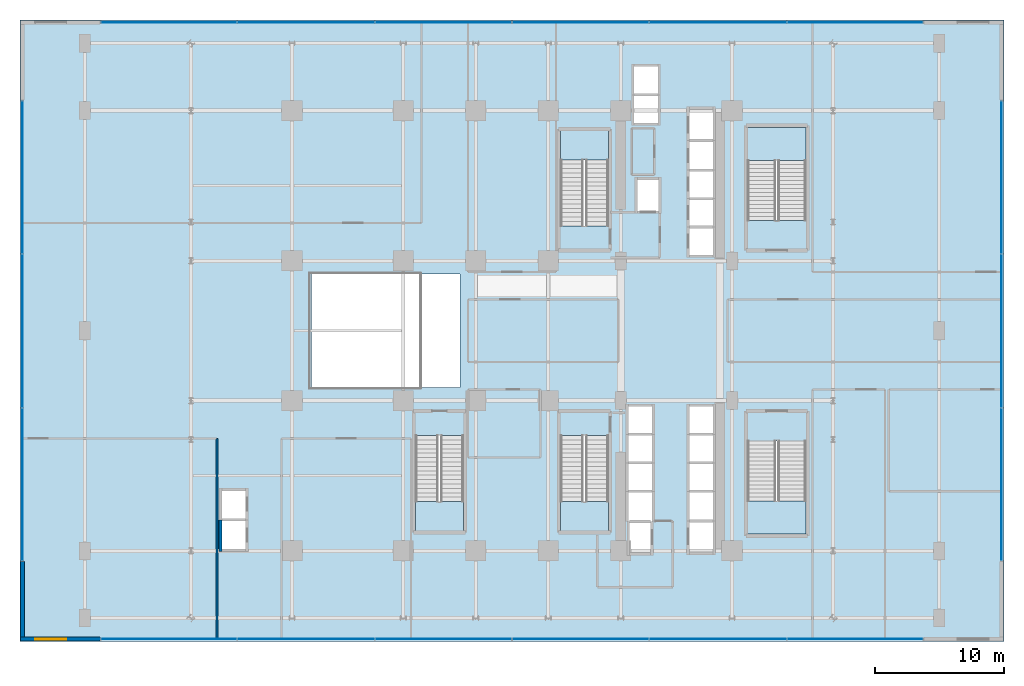
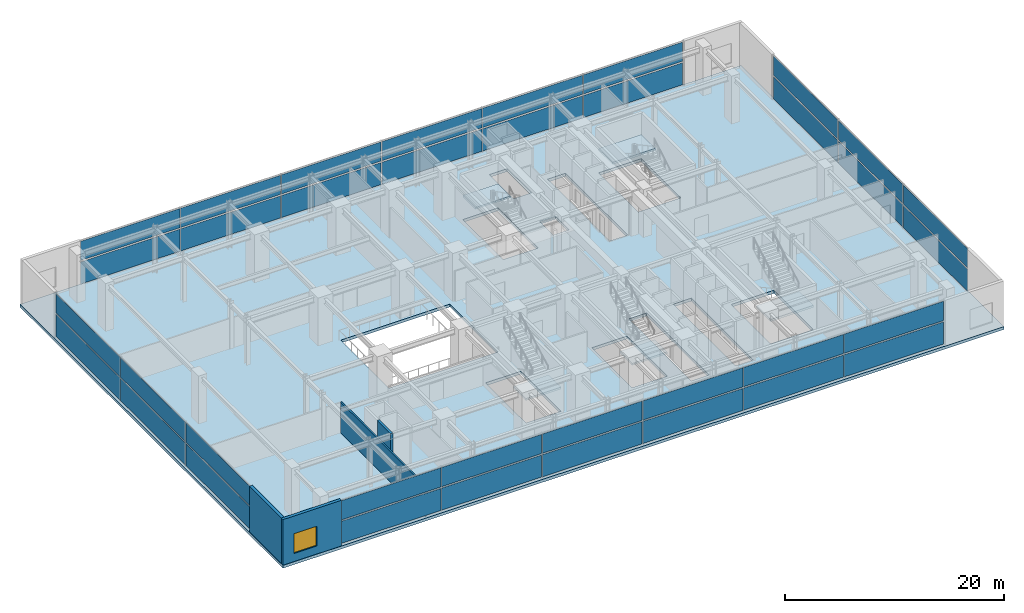
# One storey, part 26 of 32: 36 plates, 6 slabs, 4 walls, 1 window, 1 opening, 9 elements without a shape of their own.
"""IFC4 building model written with IfcOpenShell, lengths in metres."""

import ifcopenshell
import ifcopenshell.guid

model = None  # the IFC model being written
_history = None  # IfcOwnerHistory: only IFC2X3 demands one
_inside = {}  # id of a spatial element -> (the spatial element, [elements in it])
_under = {}  # id of a project, library or spatial element -> (it, [spatial elements below it])
_declared = {}  # id of a project -> (the project, [libraries it declares])
_typed = {}  # id of a type object -> (the type object, [elements of that type])
_made_of = {}  # id of a material, layer set ... -> (it, [elements and type objects made of it])


def new_model(schema):
    """Start an empty IFC model of exactly this schema.

    Asked for "IFC4X3", IfcOpenShell would pick the latest addendum, in which some entities
    have other attributes; the version numbers below select the first issue.
    IFC2X3 requires an IfcOwnerHistory on every rooted entity: one is made here for all.
    """
    global model, _history
    if schema == "IFC4X3":
        model = ifcopenshell.file(schema_version=(4, 3, 0, 0))
    else:
        model = ifcopenshell.file(schema=schema)
    _inside.clear()
    _under.clear()
    _declared.clear()
    _typed.clear()
    _made_of.clear()
    _history = None
    if model.schema == "IFC2X3":
        org = make("IfcOrganization", Name="unknown")
        user = make(
            "IfcPersonAndOrganization",
            ThePerson=make("IfcPerson", FamilyName="unknown"),
            TheOrganization=org,
        )
        app = make(
            "IfcApplication",
            ApplicationDeveloper=org,
            Version="unknown",
            ApplicationFullName="unknown",
            ApplicationIdentifier="unknown",
        )
        _history = make(
            "IfcOwnerHistory",
            OwningUser=user,
            OwningApplication=app,
            ChangeAction="ADDED",
            CreationDate=0,
        )
    return model


def make(cls, **values):
    """One entity of the class cls with the attributes given. An attribute that is None is left unset."""
    return model.create_entity(
        cls, **{name: value for name, value in values.items() if value is not None}
    )


def rooted(cls, **values):
    """An entity with a GlobalId (a new one), such as an element, a storey or a relation."""
    return make(cls, GlobalId=ifcopenshell.guid.new(), OwnerHistory=_history, **values)


def si_unit(unit_type, name, prefix=None):
    """IfcSIUnit, for example si_unit("LENGTHUNIT", "METRE", prefix="MILLI")."""
    return make("IfcSIUnit", UnitType=unit_type, Prefix=prefix, Name=name)


def assignment(units):
    """IfcUnitAssignment: the units of a project."""
    return None if units is None else make("IfcUnitAssignment", Units=units)


def point(xyz):
    """IfcCartesianPoint."""
    return None if xyz is None else make("IfcCartesianPoint", Coordinates=xyz)


def direction(xyz):
    """IfcDirection."""
    return None if xyz is None else make("IfcDirection", DirectionRatios=xyz)


def frame(location, z_axis=None, x_axis=None):
    """IfcAxis2Placement3D, a coordinate frame: its origin and axes. An axis left out is left unset."""
    return make(
        "IfcAxis2Placement3D",
        Location=point(location),
        Axis=direction(z_axis),
        RefDirection=direction(x_axis),
    )


def frame_2d(location, x_axis=None):
    """IfcAxis2Placement2D, a coordinate frame in the plane: its origin and x axis."""
    return make(
        "IfcAxis2Placement2D", Location=point(location), RefDirection=direction(x_axis)
    )


def origin():
    """The frame at (0, 0, 0) with its axes left unset."""
    return frame((0.0, 0.0, 0.0))


def origin_2d():
    """The frame at (0, 0) in the plane with its x axis left unset."""
    return frame_2d((0.0, 0.0))


def place(relative_to, where):
    """IfcLocalPlacement: puts the frame where relative to a parent placement (None: the world)."""
    return make(
        "IfcLocalPlacement", PlacementRelTo=relative_to, RelativePlacement=where
    )


def context(
    kind, dimensions, precision=None, world=None, true_north=None, identifier=None
):
    """IfcGeometricRepresentationContext, for example the 3D "Model" context."""
    return make(
        "IfcGeometricRepresentationContext",
        ContextIdentifier=identifier,
        ContextType=kind,
        CoordinateSpaceDimension=dimensions,
        Precision=precision,
        WorldCoordinateSystem=world,
        TrueNorth=true_north,
    )


def subcontext(parent, identifier, kind, view, scale=None):
    """IfcGeometricRepresentationSubContext, for example "Body" below "Model"."""
    return make(
        "IfcGeometricRepresentationSubContext",
        ContextIdentifier=identifier,
        ContextType=kind,
        ParentContext=parent,
        TargetScale=scale,
        TargetView=view,
    )


def project(units=None, contexts=None):
    """IfcProject with its units and contexts."""
    return rooted(
        "IfcProject",
        Name="project",
        RepresentationContexts=contexts,
        UnitsInContext=assignment(units),
    )


def spatial(cls, under=None, at=None, **own):
    """A site, building, storey or space (cls), placed at a placement, below another one or the project."""
    s = rooted(cls, ObjectPlacement=at, **own)
    if under is not None:
        _under.setdefault(under.id(), (under, []))[1].append(s)
    return s


def polyline(points):
    """IfcPolyline through the points."""
    return make("IfcPolyline", Points=[point(p) for p in points])


def profile(cls, at=None, kind="AREA", **sizes):
    """A parametric profile (cls). Its sizes go by their IFC names, for example OverallWidth=200.0."""
    return make(cls, ProfileType=kind, Position=at, **sizes)


def rectangle(**sizes):
    """IfcRectangleProfileDef."""
    return profile("IfcRectangleProfileDef", **sizes)


def outline(outer, holes=None, kind="AREA"):
    """IfcArbitraryClosedProfileDef: a profile drawn as a closed curve; with holes, ...WithVoids."""
    if holes is None:
        return make("IfcArbitraryClosedProfileDef", ProfileType=kind, OuterCurve=outer)
    return make(
        "IfcArbitraryProfileDefWithVoids",
        ProfileType=kind,
        OuterCurve=outer,
        InnerCurves=holes,
    )


def extrude(swept, where, along, depth):
    """IfcExtrudedAreaSolid: the profile swept, set in the frame where, extruded along a direction by depth."""
    return make(
        "IfcExtrudedAreaSolid",
        SweptArea=swept,
        Position=where,
        ExtrudedDirection=direction(along),
        Depth=depth,
    )


def shape(context_of_items, identifier, shape_type, items):
    """IfcShapeRepresentation: the items that make up one representation, for example the "Body"."""
    return make(
        "IfcShapeRepresentation",
        ContextOfItems=context_of_items,
        RepresentationIdentifier=identifier,
        RepresentationType=shape_type,
        Items=items,
    )


def source(mapping_origin, context_of_items, identifier, shape_type, items):
    """IfcRepresentationMap: a shape defined once, which mapped items show again and again."""
    return make(
        "IfcRepresentationMap",
        MappingOrigin=mapping_origin,
        MappedRepresentation=shape(context_of_items, identifier, shape_type, items),
    )


def transform(
    local_origin,
    x_axis=None,
    y_axis=None,
    z_axis=None,
    scale=None,
    scale2=None,
    scale3=None,
    uniform=True,
):
    """IfcCartesianTransformationOperator3D, or its non-uniform kind. x_axis, y_axis, z_axis: its Axis1, 2, 3."""
    if uniform:
        return make(
            "IfcCartesianTransformationOperator3D",
            Axis1=direction(x_axis),
            Axis2=direction(y_axis),
            LocalOrigin=point(local_origin),
            Scale=scale,
            Axis3=direction(z_axis),
        )
    return make(
        "IfcCartesianTransformationOperator3DnonUniform",
        Axis1=direction(x_axis),
        Axis2=direction(y_axis),
        LocalOrigin=point(local_origin),
        Scale=scale,
        Axis3=direction(z_axis),
        Scale2=scale2,
        Scale3=scale3,
    )


def mapped(mapping_source, mapping_target):
    """IfcMappedItem: shows the shape of a source again, moved by a transform."""
    return make(
        "IfcMappedItem", MappingSource=mapping_source, MappingTarget=mapping_target
    )


def material(Name=None, Category=None):
    """IfcMaterial."""
    return make("IfcMaterial", Name=Name, Category=Category)


def layer(
    of_material, thickness, ventilated=None, Name=None, Category=None, Priority=None
):
    """IfcMaterialLayer: one layer of a wall or slab, of a material (None: an air gap)."""
    return make(
        "IfcMaterialLayer",
        Material=of_material,
        LayerThickness=thickness,
        IsVentilated=ventilated,
        Name=Name,
        Category=Category,
        Priority=Priority,
    )


def layer_set(layers, Name=None):
    """IfcMaterialLayerSet."""
    return make("IfcMaterialLayerSet", MaterialLayers=layers, LayerSetName=Name)


def made_of(thing, what):
    """Note that an element or type object is made of a material, layer set ...; save() writes the relation."""
    if what is not None:
        _made_of.setdefault(what.id(), (what, []))[1].append(thing)
    return thing


def type_object(cls, material=None, **own):
    """A type object (cls), such as IfcWallType, which elements share."""
    return made_of(rooted(cls, **own), material)


def element(
    cls,
    number,
    at=None,
    inside=None,
    cuts=None,
    type_object=None,
    material=None,
    context=None,
    identifier="Body",
    shape_type=None,
    held_by="IfcProductDefinitionShape",
    body=None,
    shapes=None,
    **own,
):
    """One element of the class cls, such as IfcWall. Its Tag is "e" and its number.

    at: its placement. inside: the storey or other place that contains it. cuts: it is an
    opening in that element (IfcRelVoidsElement). A single representation is given by context,
    identifier, shape_type and body (its items); several are given by shapes. held_by: the class
    of the entity that holds the representations. save() writes the other relations.
    """
    e = rooted(cls, Tag="e%d" % number, ObjectPlacement=at, **own)
    if body is not None:
        shapes = [shape(context, identifier, shape_type, body)]
    if shapes is not None:
        e.Representation = make(held_by, Representations=shapes)
    if inside is not None:
        _inside.setdefault(inside.id(), (inside, []))[1].append(e)
    if cuts is not None:
        rooted(
            "IfcRelVoidsElement", RelatingBuildingElement=cuts, RelatedOpeningElement=e
        )
    if type_object is not None:
        _typed.setdefault(type_object.id(), (type_object, []))[1].append(e)
    return made_of(e, material)


def fill(opening, filler):
    """IfcRelFillsElement: the door or window that sits in an opening."""
    return rooted(
        "IfcRelFillsElement",
        RelatingOpeningElement=opening,
        RelatedBuildingElement=filler,
    )


def aggregate(whole, parts):
    """IfcRelAggregates: a whole, such as a stair, and the parts it consists of."""
    return rooted("IfcRelAggregates", RelatingObject=whole, RelatedObjects=parts)


def save(model, path):
    """Write the relations noted so far, then the file.

    IfcRelAggregates (storeys below a building ...), IfcRelContainedInSpatialStructure (elements
    in a storey), IfcRelDefinesByType, IfcRelAssociatesMaterial and IfcRelDeclares: one each for
    every whole, place, type object, material and project.
    """
    for whole, parts in _under.values():
        aggregate(whole, parts)
    for where, things in _inside.values():
        rooted(
            "IfcRelContainedInSpatialStructure",
            RelatedElements=things,
            RelatingStructure=where,
        )
    for kind, things in _typed.values():
        rooted("IfcRelDefinesByType", RelatedObjects=things, RelatingType=kind)
    for what, things in _made_of.values():
        rooted("IfcRelAssociatesMaterial", RelatedObjects=things, RelatingMaterial=what)
    for by, libraries in _declared.values():
        rooted("IfcRelDeclares", RelatingContext=by, RelatedDefinitions=libraries)
    model.write(path)


model = new_model("IFC4")

# Units and contexts
model_context = context("Model", 3, precision=1e-05, world=origin(), true_north=direction((0.0, 1.0)))
body_context = subcontext(model_context, "Body", "Model", "MODEL_VIEW")
ifc_project = project(units=[si_unit("LENGTHUNIT", "METRE"), si_unit("AREAUNIT", "SQUARE_METRE"), si_unit("VOLUMEUNIT", "CUBIC_METRE"), si_unit("PLANEANGLEUNIT", "RADIAN"), si_unit("MASSUNIT", "GRAM", prefix="KILO")], contexts=[model_context])

# Site, building, storey
site_placement = place(None, origin())
site = spatial("IfcSite", under=ifc_project, at=site_placement, CompositionType="ELEMENT")
building_placement = place(site_placement, origin())
building = spatial("IfcBuilding", under=site, at=building_placement, Name="Nahalor Promenade Grand Hotel", CompositionType="ELEMENT")
storey_placement = place(building_placement, frame((0.0, 0.0, 5.39990234375)))
storey = spatial("IfcBuildingStorey", under=building, at=storey_placement, Name="L01", CompositionType="ELEMENT", Elevation=5.39990234375)

# Stair, slab
ifc_material_1 = material(Name="Concrete B-50 (C40/50)", Category="concrete")
stair_type_1 = type_object("IfcStairType", Name="Stair-ST1", PredefinedType="HALF_TURN_STAIR", material=ifc_material_1)
stair_1_placement = place(storey_placement, origin())
stair_1 = element("IfcStair", 1, at=stair_1_placement, inside=storey, type_object=stair_type_1, Name="L01 ST1", PredefinedType="HALF_TURN_STAIR")
ifc_layer_1 = layer(ifc_material_1, 0.199951171875)
ifc_layer_set_1 = layer_set([ifc_layer_1], Name="Concrete B-50 (C40/50)")
slab_type_1 = type_object("IfcSlabType", Name="Landing-ST1", PredefinedType="LANDING", material=ifc_layer_set_1)
slab_1_placement = place(storey_placement, frame((0.0, 0.0, 2.5)))
slab_1 = element("IfcSlab", 2, at=slab_1_placement, type_object=slab_type_1, Name="ST1 landing 1", PredefinedType="LANDING", context=body_context, shape_type="SweptSolid", body=[
    extrude(outline(polyline([(7.449951171875, 13.199951171875), (7.449951171875, 15.449951171875), (3.75, 15.449951171875), (3.75, 13.199951171875), (7.449951171875, 13.199951171875)])), origin(), (0.0, 0.0, 1.0), 0.2001953125),
])
aggregate(stair_1, [slab_1])

stair_type_2 = type_object("IfcStairType", Name="Stair-ST2", PredefinedType="HALF_TURN_STAIR", material=ifc_material_1)
stair_2_placement = place(storey_placement, origin())
stair_2 = element("IfcStair", 3, at=stair_2_placement, inside=storey, type_object=stair_type_2, Name="L01 ST2", PredefinedType="HALF_TURN_STAIR")
ifc_layer_2 = layer(ifc_material_1, 0.2099609375)
ifc_layer_set_2 = layer_set([ifc_layer_2], Name="Concrete B-50 (C40/50)")
slab_type_2 = type_object("IfcSlabType", Name="Landing-ST2", PredefinedType="LANDING", material=ifc_layer_set_2)
slab_2_placement = place(storey_placement, frame((0.0, 0.0, 2.489990234375)))
slab_2 = element("IfcSlab", 4, at=slab_2_placement, type_object=slab_type_2, Name="ST2 landing 1", PredefinedType="LANDING", context=body_context, shape_type="SweptSolid", body=[
    extrude(outline(polyline([(3.75, -13.199951171875), (3.75, -15.449951171875), (7.449951171875, -15.449951171875), (7.449951171875, -13.199951171875), (3.75, -13.199951171875)])), origin(), (0.0, 0.0, 1.0), 0.210205078125),
])
aggregate(stair_2, [slab_2])

stair_type_3 = type_object("IfcStairType", Name="Stair-ST3", PredefinedType="HALF_TURN_STAIR", material=ifc_material_1)
stair_3_placement = place(storey_placement, origin())
stair_3 = element("IfcStair", 5, at=stair_3_placement, inside=storey, type_object=stair_type_3, Name="L01 ST3", PredefinedType="HALF_TURN_STAIR")
ifc_layer_3 = layer(ifc_material_1, 0.219970703125)
ifc_layer_set_3 = layer_set([ifc_layer_3], Name="Concrete B-50 (C40/50)")
slab_type_3 = type_object("IfcSlabType", Name="Landing-ST3", PredefinedType="LANDING", material=ifc_layer_set_3)
slab_3_placement = place(storey_placement, frame((0.0, 0.0, 2.47998046875)))
slab_3 = element("IfcSlab", 6, at=slab_3_placement, type_object=slab_type_3, Name="ST3 landing 1", PredefinedType="LANDING", context=body_context, shape_type="SweptSolid", body=[
    extrude(outline(polyline([(-7.449951171875, -13.199951171875), (-7.449951171875, -15.449951171875), (-3.75, -15.449951171875), (-3.75, -13.199951171875), (-7.449951171875, -13.199951171875)])), origin(), (0.0, 0.0, 1.0), 0.22021484375),
])
aggregate(stair_3, [slab_3])

stair_type_4 = type_object("IfcStairType", Name="Stair-ST4", PredefinedType="HALF_TURN_STAIR", material=ifc_material_1)
stair_4_placement = place(storey_placement, origin())
stair_4 = element("IfcStair", 7, at=stair_4_placement, inside=storey, type_object=stair_type_4, Name="L01 ST4", PredefinedType="HALF_TURN_STAIR")
ifc_layer_4 = layer(ifc_material_1, 0.239990234375)
ifc_layer_set_4 = layer_set([ifc_layer_4], Name="Concrete B-50 (C40/50)")
slab_type_4 = type_object("IfcSlabType", Name="Landing-ST4", PredefinedType="LANDING", material=ifc_layer_set_4)
slab_4_placement = place(storey_placement, frame((0.0, 0.0, 2.460205078125)))
slab_4 = element("IfcSlab", 8, at=slab_4_placement, type_object=slab_type_4, Name="ST4 landing 1", PredefinedType="LANDING", context=body_context, shape_type="SweptSolid", body=[
    extrude(outline(polyline([(22.699951171875, 13.14990234375), (22.699951171875, 15.699951171875), (18.199951171875, 15.699951171875), (18.199951171875, 13.14990234375), (22.699951171875, 13.14990234375)])), origin(), (0.0, 0.0, 1.0), 0.239990234375),
])
aggregate(stair_4, [slab_4])

stair_type_5 = type_object("IfcStairType", Name="Stair-ST5", PredefinedType="HALF_TURN_STAIR", material=ifc_material_1)
stair_5_placement = place(storey_placement, origin())
stair_5 = element("IfcStair", 9, at=stair_5_placement, inside=storey, type_object=stair_type_5, Name="L01 ST5", PredefinedType="HALF_TURN_STAIR")
ifc_layer_5 = layer(ifc_material_1, 0.25)
ifc_layer_set_5 = layer_set([ifc_layer_5], Name="Concrete B-50 (C40/50)")
slab_type_5 = type_object("IfcSlabType", Name="Landing-ST5", PredefinedType="LANDING", material=ifc_layer_set_5)
slab_5_placement = place(storey_placement, frame((0.0, 0.0, 2.4501953125)))
slab_5 = element("IfcSlab", 10, at=slab_5_placement, type_object=slab_type_5, Name="ST5 landing 1", PredefinedType="LANDING", context=body_context, shape_type="SweptSolid", body=[
    extrude(outline(polyline([(18.199951171875, -13.14990234375), (18.199951171875, -15.699951171875), (22.699951171875, -15.699951171875), (22.699951171875, -13.14990234375), (18.199951171875, -13.14990234375)])), origin(), (0.0, 0.0, 1.0), 0.25),
])
aggregate(stair_5, [slab_5])

# Slab
ifc_layer_6 = layer(ifc_material_1, 0.320068359375)
ifc_layer_set_6 = layer_set([ifc_layer_6], Name="Concrete B-50 (C40/50)")
slab_type_6 = type_object("IfcSlabType", Name="Slab-Podium-320", PredefinedType="FLOOR", material=ifc_layer_set_6)
slab_6_placement = place(storey_placement, frame((0.0, 0.0, -0.31982421875)))
element("IfcSlab", 11, at=slab_6_placement, inside=storey, type_object=slab_type_6, Name="L01 Suspended Structural Floor Slab", PredefinedType="FLOOR", context=body_context, shape_type="SweptSolid", body=[
    extrude(outline(polyline([(-38.0, -24.0), (38.0, -24.0), (38.0, 24.0), (-38.0, 24.0), (-38.0, -24.0)]), holes=[polyline([(3.75, 8.10009765625), (7.449951171875, 8.10009765625), (7.449951171875, 15.449951171875), (3.75, 15.449951171875), (3.75, 8.10009765625)]), polyline([(3.75, -15.449951171875), (7.449951171875, -15.449951171875), (7.449951171875, -8.10009765625), (3.75, -8.10009765625), (3.75, -15.449951171875)]), polyline([(-7.449951171875, -15.449951171875), (-3.75, -15.449951171875), (-3.75, -8.10009765625), (-7.449951171875, -8.10009765625), (-7.449951171875, -15.449951171875)]), polyline([(18.199951171875, 8.5), (22.699951171875, 8.5), (22.699951171875, 15.699951171875), (18.199951171875, 15.699951171875), (18.199951171875, 8.5)]), polyline([(18.199951171875, -15.699951171875), (22.699951171875, -15.699951171875), (22.699951171875, -8.5), (18.199951171875, -8.5), (18.199951171875, -15.699951171875)]), polyline([(13.659912109375, 5.81005859375), (15.5400390625, 5.81005859375), (15.5400390625, 17.139892578125), (13.659912109375, 17.139892578125), (13.659912109375, 5.81005859375)]), polyline([(13.659912109375, -17.139892578125), (15.5400390625, -17.139892578125), (15.5400390625, -5.81005859375), (13.659912109375, -5.81005859375), (13.659912109375, -17.139892578125)]), polyline([(8.9599609375, -17.18994140625), (10.840087890625, -17.18994140625), (10.840087890625, -5.81005859375), (8.9599609375, -5.81005859375), (8.9599609375, -17.18994140625)]), polyline([(9.409912109375, 16.010009765625), (11.2900390625, 16.010009765625), (11.2900390625, 20.43994140625), (9.409912109375, 20.43994140625), (9.409912109375, 16.010009765625)]), polyline([(9.659912109375, 9.2099609375), (11.340087890625, 9.2099609375), (11.340087890625, 11.68994140625), (9.659912109375, 11.68994140625), (9.659912109375, 9.2099609375)]), polyline([(-22.43994140625, -16.889892578125), (-20.56005859375, -16.889892578125), (-20.56005859375, -14.7099609375), (-22.43994140625, -14.7099609375), (-22.43994140625, -16.889892578125)]), polyline([(-22.43994140625, -14.489990234375), (-20.56005859375, -14.489990234375), (-20.56005859375, -12.31005859375), (-22.43994140625, -12.31005859375), (-22.43994140625, -14.489990234375)]), polyline([(-15.5, -4.39990234375), (-4.0, -4.39990234375), (-4.0, 4.39990234375), (-15.5, 4.39990234375), (-15.5, -4.39990234375)])]), origin(), (0.0, 0.0, 1.0), 0.31982421875),
])

# Curtain wall, plates
ifc_material_2 = material(Name="Anodised Bronze Aluminium EN AW-6063 T6", Category="aluminium")
curtain_wall_type = type_object("IfcCurtainWallType", Name="CW1 Waterfront Podium Bronze Arcade Curtain Wall", PredefinedType="USERDEFINED", material=ifc_material_2)
curtain_wall_1_placement = place(storey_placement, origin())
curtain_wall_1 = element("IfcCurtainWall", 12, at=curtain_wall_1_placement, inside=storey, type_object=curtain_wall_type, Name="L01 Curtain Wall CW-L01-S", ObjectType="UNITISED_CURTAIN_WALL", PredefinedType="USERDEFINED")
ifc_material_3 = material(Name="Low-E Laminated Solar Glass", Category="glass")
ifc_layer_7 = layer(ifc_material_3, 0.031982421875)
ifc_layer_set_7 = layer_set([ifc_layer_7], Name="Low-E Laminated Solar Glass")
plate_type = type_object("IfcPlateType", Name="CWP1 Podium Solar Acoustic IGU 32mm", PredefinedType="CURTAIN_PANEL", material=ifc_layer_set_7)
shared_shape_1 = source(origin(), body_context, "Body", "SweptSolid", [
    extrude(rectangle(XDim=10.486572265625, YDim=0.031982421875, at=origin_2d()), origin(), (0.0, 0.0, 1.0), 2.4599609375),
])
plate_1_placement = place(storey_placement, frame((-26.49658203125, -23.820068359375, 0.16015625), z_axis=(0.0, 0.0, 1.0), x_axis=(1.0, 0.0, 0.0)))
plate_1 = element("IfcPlate", 13, at=plate_1_placement, type_object=plate_type, Name="CW-L01-S Glazing Panel 0-0", PredefinedType="CURTAIN_PANEL", context=body_context, shape_type="MappedRepresentation", body=[
    mapped(shared_shape_1, transform((0.0, 0.0, 0.0), scale=1.0)),
])
plate_2_placement = place(storey_placement, frame((26.49658203125, -23.820068359375, 0.16015625), z_axis=(0.0, 0.0, 1.0), x_axis=(1.0, 0.0, 0.0)))
plate_2 = element("IfcPlate", 14, at=plate_2_placement, type_object=plate_type, Name="CW-L01-S Glazing Panel 5-0", PredefinedType="CURTAIN_PANEL", context=body_context, shape_type="MappedRepresentation", body=[
    mapped(shared_shape_1, transform((0.0, 0.0, 0.0), scale=1.0)),
])

curtain_wall_2_placement = place(storey_placement, origin())
curtain_wall_2 = element("IfcCurtainWall", 15, at=curtain_wall_2_placement, inside=storey, type_object=curtain_wall_type, Name="L01 Curtain Wall CW-L01-N", ObjectType="UNITISED_CURTAIN_WALL", PredefinedType="USERDEFINED")
plate_3_placement = place(storey_placement, frame((-26.49658203125, 23.820068359375, 0.16015625), z_axis=(0.0, 0.0, 1.0), x_axis=(1.0, 0.0, 0.0)))
plate_3 = element("IfcPlate", 16, at=plate_3_placement, type_object=plate_type, Name="CW-L01-N Glazing Panel 0-0", PredefinedType="CURTAIN_PANEL", context=body_context, shape_type="MappedRepresentation", body=[
    mapped(shared_shape_1, transform((0.0, 0.0, 0.0), scale=1.0)),
])
plate_4_placement = place(storey_placement, frame((26.49658203125, 23.820068359375, 0.16015625), z_axis=(0.0, 0.0, 1.0), x_axis=(1.0, 0.0, 0.0)))
plate_4 = element("IfcPlate", 17, at=plate_4_placement, type_object=plate_type, Name="CW-L01-N Glazing Panel 5-0", PredefinedType="CURTAIN_PANEL", context=body_context, shape_type="MappedRepresentation", body=[
    mapped(shared_shape_1, transform((0.0, 0.0, 0.0), scale=1.0)),
])

# Plate
shared_shape_2 = source(origin(), body_context, "Body", "SweptSolid", [
    extrude(rectangle(XDim=10.486572265625, YDim=0.031982421875, at=origin_2d()), origin(), (0.0, 0.0, 1.0), 2.139892578125),
])
plate_5_placement = place(storey_placement, frame((-26.49658203125, -23.820068359375, 2.7802734375), z_axis=(0.0, 0.0, 1.0), x_axis=(1.0, 0.0, 0.0)))
plate_5 = element("IfcPlate", 18, at=plate_5_placement, type_object=plate_type, Name="CW-L01-S Glazing Panel 0-1", PredefinedType="CURTAIN_PANEL", context=body_context, shape_type="MappedRepresentation", body=[
    mapped(shared_shape_2, transform((0.0, 0.0, 0.0), scale=1.0)),
])

plate_6_placement = place(storey_placement, frame((26.49658203125, -23.820068359375, 2.7802734375), z_axis=(0.0, 0.0, 1.0), x_axis=(1.0, 0.0, 0.0)))
plate_6 = element("IfcPlate", 19, at=plate_6_placement, type_object=plate_type, Name="CW-L01-S Glazing Panel 5-1", PredefinedType="CURTAIN_PANEL", context=body_context, shape_type="MappedRepresentation", body=[
    mapped(shared_shape_2, transform((0.0, 0.0, 0.0), scale=1.0)),
])

plate_7_placement = place(storey_placement, frame((-26.49658203125, 23.820068359375, 2.7802734375), z_axis=(0.0, 0.0, 1.0), x_axis=(1.0, 0.0, 0.0)))
plate_7 = element("IfcPlate", 20, at=plate_7_placement, type_object=plate_type, Name="CW-L01-N Glazing Panel 0-1", PredefinedType="CURTAIN_PANEL", context=body_context, shape_type="MappedRepresentation", body=[
    mapped(shared_shape_2, transform((0.0, 0.0, 0.0), scale=1.0)),
])

plate_8_placement = place(storey_placement, frame((26.49658203125, 23.820068359375, 2.7802734375), z_axis=(0.0, 0.0, 1.0), x_axis=(1.0, 0.0, 0.0)))
plate_8 = element("IfcPlate", 21, at=plate_8_placement, type_object=plate_type, Name="CW-L01-N Glazing Panel 5-1", PredefinedType="CURTAIN_PANEL", context=body_context, shape_type="MappedRepresentation", body=[
    mapped(shared_shape_2, transform((0.0, 0.0, 0.0), scale=1.0)),
])

shared_shape_3 = source(origin(), body_context, "Body", "SweptSolid", [
    extrude(rectangle(XDim=10.526611328125, YDim=0.031982421875, at=origin_2d()), origin(), (0.0, 0.0, 1.0), 2.4599609375),
])
plate_9_placement = place(storey_placement, frame((-15.909912109375, -23.820068359375, 0.16015625), z_axis=(0.0, 0.0, 1.0), x_axis=(1.0, 0.0, 0.0)))
plate_9 = element("IfcPlate", 22, at=plate_9_placement, type_object=plate_type, Name="CW-L01-S Glazing Panel 1-0", PredefinedType="CURTAIN_PANEL", context=body_context, shape_type="MappedRepresentation", body=[
    mapped(shared_shape_3, transform((0.0, 0.0, 0.0), scale=1.0)),
])

plate_10_placement = place(storey_placement, frame((-5.30322265625, -23.820068359375, 0.16015625), z_axis=(0.0, 0.0, 1.0), x_axis=(1.0, 0.0, 0.0)))
plate_10 = element("IfcPlate", 23, at=plate_10_placement, type_object=plate_type, Name="CW-L01-S Glazing Panel 2-0", PredefinedType="CURTAIN_PANEL", context=body_context, shape_type="MappedRepresentation", body=[
    mapped(shared_shape_3, transform((0.0, 0.0, 0.0), scale=1.0)),
])

plate_11_placement = place(storey_placement, frame((5.30322265625, -23.820068359375, 0.16015625), z_axis=(0.0, 0.0, 1.0), x_axis=(1.0, 0.0, 0.0)))
plate_11 = element("IfcPlate", 24, at=plate_11_placement, type_object=plate_type, Name="CW-L01-S Glazing Panel 3-0", PredefinedType="CURTAIN_PANEL", context=body_context, shape_type="MappedRepresentation", body=[
    mapped(shared_shape_3, transform((0.0, 0.0, 0.0), scale=1.0)),
])

plate_12_placement = place(storey_placement, frame((15.909912109375, -23.820068359375, 0.16015625), z_axis=(0.0, 0.0, 1.0), x_axis=(1.0, 0.0, 0.0)))
plate_12 = element("IfcPlate", 25, at=plate_12_placement, type_object=plate_type, Name="CW-L01-S Glazing Panel 4-0", PredefinedType="CURTAIN_PANEL", context=body_context, shape_type="MappedRepresentation", body=[
    mapped(shared_shape_3, transform((0.0, 0.0, 0.0), scale=1.0)),
])

plate_13_placement = place(storey_placement, frame((-15.909912109375, 23.820068359375, 0.16015625), z_axis=(0.0, 0.0, 1.0), x_axis=(1.0, 0.0, 0.0)))
plate_13 = element("IfcPlate", 26, at=plate_13_placement, type_object=plate_type, Name="CW-L01-N Glazing Panel 1-0", PredefinedType="CURTAIN_PANEL", context=body_context, shape_type="MappedRepresentation", body=[
    mapped(shared_shape_3, transform((0.0, 0.0, 0.0), scale=1.0)),
])

plate_14_placement = place(storey_placement, frame((-5.30322265625, 23.820068359375, 0.16015625), z_axis=(0.0, 0.0, 1.0), x_axis=(1.0, 0.0, 0.0)))
plate_14 = element("IfcPlate", 27, at=plate_14_placement, type_object=plate_type, Name="CW-L01-N Glazing Panel 2-0", PredefinedType="CURTAIN_PANEL", context=body_context, shape_type="MappedRepresentation", body=[
    mapped(shared_shape_3, transform((0.0, 0.0, 0.0), scale=1.0)),
])

plate_15_placement = place(storey_placement, frame((5.30322265625, 23.820068359375, 0.16015625), z_axis=(0.0, 0.0, 1.0), x_axis=(1.0, 0.0, 0.0)))
plate_15 = element("IfcPlate", 28, at=plate_15_placement, type_object=plate_type, Name="CW-L01-N Glazing Panel 3-0", PredefinedType="CURTAIN_PANEL", context=body_context, shape_type="MappedRepresentation", body=[
    mapped(shared_shape_3, transform((0.0, 0.0, 0.0), scale=1.0)),
])

plate_16_placement = place(storey_placement, frame((15.909912109375, 23.820068359375, 0.16015625), z_axis=(0.0, 0.0, 1.0), x_axis=(1.0, 0.0, 0.0)))
plate_16 = element("IfcPlate", 29, at=plate_16_placement, type_object=plate_type, Name="CW-L01-N Glazing Panel 4-0", PredefinedType="CURTAIN_PANEL", context=body_context, shape_type="MappedRepresentation", body=[
    mapped(shared_shape_3, transform((0.0, 0.0, 0.0), scale=1.0)),
])

shared_shape_4 = source(origin(), body_context, "Body", "SweptSolid", [
    extrude(rectangle(XDim=10.526611328125, YDim=0.031982421875, at=origin_2d()), origin(), (0.0, 0.0, 1.0), 2.139892578125),
])
plate_17_placement = place(storey_placement, frame((-15.909912109375, -23.820068359375, 2.7802734375), z_axis=(0.0, 0.0, 1.0), x_axis=(1.0, 0.0, 0.0)))
plate_17 = element("IfcPlate", 30, at=plate_17_placement, type_object=plate_type, Name="CW-L01-S Glazing Panel 1-1", PredefinedType="CURTAIN_PANEL", context=body_context, shape_type="MappedRepresentation", body=[
    mapped(shared_shape_4, transform((0.0, 0.0, 0.0), scale=1.0)),
])

plate_18_placement = place(storey_placement, frame((-5.30322265625, -23.820068359375, 2.7802734375), z_axis=(0.0, 0.0, 1.0), x_axis=(1.0, 0.0, 0.0)))
plate_18 = element("IfcPlate", 31, at=plate_18_placement, type_object=plate_type, Name="CW-L01-S Glazing Panel 2-1", PredefinedType="CURTAIN_PANEL", context=body_context, shape_type="MappedRepresentation", body=[
    mapped(shared_shape_4, transform((0.0, 0.0, 0.0), scale=1.0)),
])

plate_19_placement = place(storey_placement, frame((5.30322265625, -23.820068359375, 2.7802734375), z_axis=(0.0, 0.0, 1.0), x_axis=(1.0, 0.0, 0.0)))
plate_19 = element("IfcPlate", 32, at=plate_19_placement, type_object=plate_type, Name="CW-L01-S Glazing Panel 3-1", PredefinedType="CURTAIN_PANEL", context=body_context, shape_type="MappedRepresentation", body=[
    mapped(shared_shape_4, transform((0.0, 0.0, 0.0), scale=1.0)),
])

plate_20_placement = place(storey_placement, frame((15.909912109375, -23.820068359375, 2.7802734375), z_axis=(0.0, 0.0, 1.0), x_axis=(1.0, 0.0, 0.0)))
plate_20 = element("IfcPlate", 33, at=plate_20_placement, type_object=plate_type, Name="CW-L01-S Glazing Panel 4-1", PredefinedType="CURTAIN_PANEL", context=body_context, shape_type="MappedRepresentation", body=[
    mapped(shared_shape_4, transform((0.0, 0.0, 0.0), scale=1.0)),
])

aggregate(curtain_wall_1, [plate_1, plate_5, plate_9, plate_17, plate_10, plate_18, plate_11, plate_19, plate_12, plate_20, plate_2, plate_6])

plate_21_placement = place(storey_placement, frame((-15.909912109375, 23.820068359375, 2.7802734375), z_axis=(0.0, 0.0, 1.0), x_axis=(1.0, 0.0, 0.0)))
plate_21 = element("IfcPlate", 34, at=plate_21_placement, type_object=plate_type, Name="CW-L01-N Glazing Panel 1-1", PredefinedType="CURTAIN_PANEL", context=body_context, shape_type="MappedRepresentation", body=[
    mapped(shared_shape_4, transform((0.0, 0.0, 0.0), scale=1.0)),
])

plate_22_placement = place(storey_placement, frame((-5.30322265625, 23.820068359375, 2.7802734375), z_axis=(0.0, 0.0, 1.0), x_axis=(1.0, 0.0, 0.0)))
plate_22 = element("IfcPlate", 35, at=plate_22_placement, type_object=plate_type, Name="CW-L01-N Glazing Panel 2-1", PredefinedType="CURTAIN_PANEL", context=body_context, shape_type="MappedRepresentation", body=[
    mapped(shared_shape_4, transform((0.0, 0.0, 0.0), scale=1.0)),
])

plate_23_placement = place(storey_placement, frame((5.30322265625, 23.820068359375, 2.7802734375), z_axis=(0.0, 0.0, 1.0), x_axis=(1.0, 0.0, 0.0)))
plate_23 = element("IfcPlate", 36, at=plate_23_placement, type_object=plate_type, Name="CW-L01-N Glazing Panel 3-1", PredefinedType="CURTAIN_PANEL", context=body_context, shape_type="MappedRepresentation", body=[
    mapped(shared_shape_4, transform((0.0, 0.0, 0.0), scale=1.0)),
])

plate_24_placement = place(storey_placement, frame((15.909912109375, 23.820068359375, 2.7802734375), z_axis=(0.0, 0.0, 1.0), x_axis=(1.0, 0.0, 0.0)))
plate_24 = element("IfcPlate", 37, at=plate_24_placement, type_object=plate_type, Name="CW-L01-N Glazing Panel 4-1", PredefinedType="CURTAIN_PANEL", context=body_context, shape_type="MappedRepresentation", body=[
    mapped(shared_shape_4, transform((0.0, 0.0, 0.0), scale=1.0)),
])

aggregate(curtain_wall_2, [plate_3, plate_7, plate_13, plate_21, plate_14, plate_22, plate_15, plate_23, plate_16, plate_24, plate_4, plate_8])

# Curtain wall, plates
curtain_wall_3_placement = place(storey_placement, origin())
curtain_wall_3 = element("IfcCurtainWall", 38, at=curtain_wall_3_placement, inside=storey, type_object=curtain_wall_type, Name="L01 Curtain Wall CW-L01-W", ObjectType="UNITISED_CURTAIN_WALL", PredefinedType="USERDEFINED")
shared_shape_5 = source(origin(), body_context, "Body", "SweptSolid", [
    extrude(rectangle(XDim=11.760009765625, YDim=0.031982421875, at=origin_2d()), origin(), (0.0, 0.0, 1.0), 2.4599609375),
])
plate_25_placement = place(storey_placement, frame((-37.820068359375, -11.860107421875, 0.16015625), z_axis=(0.0, 0.0, 1.0), x_axis=(0.0, 1.0, 0.0)))
plate_25 = element("IfcPlate", 39, at=plate_25_placement, type_object=plate_type, Name="CW-L01-W Glazing Panel 0-0", PredefinedType="CURTAIN_PANEL", context=body_context, shape_type="MappedRepresentation", body=[
    mapped(shared_shape_5, transform((0.0, 0.0, 0.0), scale=1.0)),
])
plate_26_placement = place(storey_placement, frame((-37.820068359375, 11.860107421875, 0.16015625), z_axis=(0.0, 0.0, 1.0), x_axis=(0.0, 1.0, 0.0)))
plate_26 = element("IfcPlate", 40, at=plate_26_placement, type_object=plate_type, Name="CW-L01-W Glazing Panel 2-0", PredefinedType="CURTAIN_PANEL", context=body_context, shape_type="MappedRepresentation", body=[
    mapped(shared_shape_5, transform((0.0, 0.0, 0.0), scale=1.0)),
])

curtain_wall_4_placement = place(storey_placement, origin())
curtain_wall_4 = element("IfcCurtainWall", 41, at=curtain_wall_4_placement, inside=storey, type_object=curtain_wall_type, Name="L01 Curtain Wall CW-L01-E", ObjectType="UNITISED_CURTAIN_WALL", PredefinedType="USERDEFINED")
plate_27_placement = place(storey_placement, frame((37.820068359375, -11.860107421875, 0.16015625), z_axis=(0.0, 0.0, 1.0), x_axis=(0.0, 1.0, 0.0)))
plate_27 = element("IfcPlate", 42, at=plate_27_placement, type_object=plate_type, Name="CW-L01-E Glazing Panel 0-0", PredefinedType="CURTAIN_PANEL", context=body_context, shape_type="MappedRepresentation", body=[
    mapped(shared_shape_5, transform((0.0, 0.0, 0.0), scale=1.0)),
])
plate_28_placement = place(storey_placement, frame((37.820068359375, 11.860107421875, 0.16015625), z_axis=(0.0, 0.0, 1.0), x_axis=(0.0, 1.0, 0.0)))
plate_28 = element("IfcPlate", 43, at=plate_28_placement, type_object=plate_type, Name="CW-L01-E Glazing Panel 2-0", PredefinedType="CURTAIN_PANEL", context=body_context, shape_type="MappedRepresentation", body=[
    mapped(shared_shape_5, transform((0.0, 0.0, 0.0), scale=1.0)),
])

# Plate
shared_shape_6 = source(origin(), body_context, "Body", "SweptSolid", [
    extrude(rectangle(XDim=11.760009765625, YDim=0.031982421875, at=origin_2d()), origin(), (0.0, 0.0, 1.0), 2.139892578125),
])
plate_29_placement = place(storey_placement, frame((-37.820068359375, -11.860107421875, 2.7802734375), z_axis=(0.0, 0.0, 1.0), x_axis=(0.0, 1.0, 0.0)))
plate_29 = element("IfcPlate", 44, at=plate_29_placement, type_object=plate_type, Name="CW-L01-W Glazing Panel 0-1", PredefinedType="CURTAIN_PANEL", context=body_context, shape_type="MappedRepresentation", body=[
    mapped(shared_shape_6, transform((0.0, 0.0, 0.0), scale=1.0)),
])

plate_30_placement = place(storey_placement, frame((-37.820068359375, 11.860107421875, 2.7802734375), z_axis=(0.0, 0.0, 1.0), x_axis=(0.0, 1.0, 0.0)))
plate_30 = element("IfcPlate", 45, at=plate_30_placement, type_object=plate_type, Name="CW-L01-W Glazing Panel 2-1", PredefinedType="CURTAIN_PANEL", context=body_context, shape_type="MappedRepresentation", body=[
    mapped(shared_shape_6, transform((0.0, 0.0, 0.0), scale=1.0)),
])

plate_31_placement = place(storey_placement, frame((37.820068359375, -11.860107421875, 2.7802734375), z_axis=(0.0, 0.0, 1.0), x_axis=(0.0, 1.0, 0.0)))
plate_31 = element("IfcPlate", 46, at=plate_31_placement, type_object=plate_type, Name="CW-L01-E Glazing Panel 0-1", PredefinedType="CURTAIN_PANEL", context=body_context, shape_type="MappedRepresentation", body=[
    mapped(shared_shape_6, transform((0.0, 0.0, 0.0), scale=1.0)),
])

plate_32_placement = place(storey_placement, frame((37.820068359375, 11.860107421875, 2.7802734375), z_axis=(0.0, 0.0, 1.0), x_axis=(0.0, 1.0, 0.0)))
plate_32 = element("IfcPlate", 47, at=plate_32_placement, type_object=plate_type, Name="CW-L01-E Glazing Panel 2-1", PredefinedType="CURTAIN_PANEL", context=body_context, shape_type="MappedRepresentation", body=[
    mapped(shared_shape_6, transform((0.0, 0.0, 0.0), scale=1.0)),
])

shared_shape_7 = source(origin(), body_context, "Body", "SweptSolid", [
    extrude(rectangle(XDim=11.800048828125, YDim=0.031982421875, at=origin_2d()), origin(), (0.0, 0.0, 1.0), 2.4599609375),
])
plate_33_placement = place(storey_placement, frame((-37.820068359375, 0.0, 0.16015625), z_axis=(0.0, 0.0, 1.0), x_axis=(0.0, 1.0, 0.0)))
plate_33 = element("IfcPlate", 48, at=plate_33_placement, type_object=plate_type, Name="CW-L01-W Glazing Panel 1-0", PredefinedType="CURTAIN_PANEL", context=body_context, shape_type="MappedRepresentation", body=[
    mapped(shared_shape_7, transform((0.0, 0.0, 0.0), scale=1.0)),
])

plate_34_placement = place(storey_placement, frame((37.820068359375, 0.0, 0.16015625), z_axis=(0.0, 0.0, 1.0), x_axis=(0.0, 1.0, 0.0)))
plate_34 = element("IfcPlate", 49, at=plate_34_placement, type_object=plate_type, Name="CW-L01-E Glazing Panel 1-0", PredefinedType="CURTAIN_PANEL", context=body_context, shape_type="MappedRepresentation", body=[
    mapped(shared_shape_7, transform((0.0, 0.0, 0.0), scale=1.0)),
])

shared_shape_8 = source(origin(), body_context, "Body", "SweptSolid", [
    extrude(rectangle(XDim=11.800048828125, YDim=0.031982421875, at=origin_2d()), origin(), (0.0, 0.0, 1.0), 2.139892578125),
])
plate_35_placement = place(storey_placement, frame((-37.820068359375, 0.0, 2.7802734375), z_axis=(0.0, 0.0, 1.0), x_axis=(0.0, 1.0, 0.0)))
plate_35 = element("IfcPlate", 50, at=plate_35_placement, type_object=plate_type, Name="CW-L01-W Glazing Panel 1-1", PredefinedType="CURTAIN_PANEL", context=body_context, shape_type="MappedRepresentation", body=[
    mapped(shared_shape_8, transform((0.0, 0.0, 0.0), scale=1.0)),
])

aggregate(curtain_wall_3, [plate_25, plate_29, plate_33, plate_35, plate_26, plate_30])

plate_36_placement = place(storey_placement, frame((37.820068359375, 0.0, 2.7802734375), z_axis=(0.0, 0.0, 1.0), x_axis=(0.0, 1.0, 0.0)))
plate_36 = element("IfcPlate", 51, at=plate_36_placement, type_object=plate_type, Name="CW-L01-E Glazing Panel 1-1", PredefinedType="CURTAIN_PANEL", context=body_context, shape_type="MappedRepresentation", body=[
    mapped(shared_shape_8, transform((0.0, 0.0, 0.0), scale=1.0)),
])

aggregate(curtain_wall_4, [plate_27, plate_31, plate_34, plate_36, plate_28, plate_32])

# Wall
ifc_layer_8 = layer(ifc_material_1, 0.219970703125)
ifc_layer_set_8 = layer_set([ifc_layer_8], Name="Concrete B-50 (C40/50)")
wall_type_1 = type_object("IfcWallType", Name="Wall-LiftShaft-220", PredefinedType="SHEAR", material=ifc_layer_set_8)
shared_shape_9 = source(origin(), body_context, "Body", "SweptSolid", [
    extrude(rectangle(XDim=2.4599609375, YDim=0.219970703125, at=frame_2d((1.22998046875, 0.0))), origin(), (0.0, 0.0, 1.0), 5.080078125),
])
wall_1_placement = place(storey_placement, frame((-22.52001953125, -17.06005859375, 0.0), z_axis=(0.0, 0.0, 1.0), x_axis=(0.0, 1.0, 0.0)))
element("IfcWall", 52, at=wall_1_placement, inside=storey, type_object=wall_type_1, Name="L01 Lift PD1 Hoistway Wall W", PredefinedType="SHEAR", context=body_context, shape_type="MappedRepresentation", body=[
    mapped(shared_shape_9, transform((0.0, 0.0, 0.0), scale=1.0)),
])

# Wall, opening, window
ifc_material_4 = material(Name="Concrete B-40 (C32/40)", Category="concrete")
ifc_layer_9 = layer(ifc_material_4, 0.320068359375)
ifc_layer_set_9 = layer_set([ifc_layer_9], Name="Concrete B-40 (C32/40)")
wall_type_2 = type_object("IfcWallType", Name="Wall-LimestonePier-320", PredefinedType="STANDARD", material=ifc_layer_set_9)
shared_shape_10 = source(origin(), body_context, "Body", "SweptSolid", [
    extrude(rectangle(XDim=6.159912109375, YDim=0.320068359375, at=frame_2d((3.080078125, 0.0))), origin(), (0.0, 0.0, 1.0), 5.080078125),
])
wall_2_placement = place(storey_placement, frame((-37.97998046875, -23.820068359375, 0.0), z_axis=(0.0, 0.0, 1.0), x_axis=(1.0, 0.0, 0.0)))
wall_2 = element("IfcWall", 53, at=wall_2_placement, inside=storey, type_object=wall_type_2, Name="W-L01-CRN-SW-X", PredefinedType="STANDARD", context=body_context, shape_type="MappedRepresentation", body=[
    mapped(shared_shape_10, transform((0.0, 0.0, 0.0), scale=1.0)),
])
opening_placement = place(wall_2_placement, frame((1.159912109375, 0.0, 0.89990234375)))
opening = element("IfcOpeningElement", 54, at=opening_placement, cuts=wall_2, Name="Opening WN-02", PredefinedType="OPENING", context=body_context, shape_type="SweptSolid", body=[
    extrude(rectangle(XDim=2.39990234375, YDim=2.199951171875, at=frame_2d((1.199951171875, 1.10009765625))), frame((0.0, 0.169921875, 0.0), z_axis=(0.0, -1.0, 0.0), x_axis=(1.0, 0.0, 0.0)), (0.0, 0.0, 1.0), 0.340087890625),
])
window_type = type_object("IfcWindowType", Name="Win-PodiumArch-2400x2200", PartitioningType="SINGLE_PANEL", PredefinedType="WINDOW", material=ifc_material_3)
shared_shape_11 = source(origin(), body_context, "Body", "SweptSolid", [
    extrude(rectangle(XDim=2.39990234375, YDim=2.199951171875, at=frame_2d((1.199951171875, 1.10009765625))), frame((0.0, 0.030029296875, 0.0), z_axis=(0.0, -1.0, 0.0), x_axis=(1.0, 0.0, 0.0)), (0.0, 0.0, 1.0), 0.06005859375),
])
window_placement = place(opening_placement, origin())
window = element("IfcWindow", 55, at=window_placement, inside=storey, type_object=window_type, Name="WN-L01-SW-X", OverallHeight=2.199951171875, OverallWidth=2.39990234375, PartitioningType="SINGLE_PANEL", PredefinedType="WINDOW", context=body_context, shape_type="MappedRepresentation", body=[
    mapped(shared_shape_11, transform((0.0, 0.0, 0.0), scale=1.0)),
])
fill(opening, window)

# Walls
shared_shape_12 = source(origin(), body_context, "Body", "SweptSolid", [
    extrude(rectangle(XDim=5.83984375, YDim=0.320068359375, at=frame_2d((2.919921875, 0.0))), origin(), (0.0, 0.0, 1.0), 5.080078125),
])
wall_3_placement = place(storey_placement, frame((-37.820068359375, -23.659912109375, 0.0), z_axis=(0.0, 0.0, 1.0), x_axis=(0.0, 1.0, 0.0)))
element("IfcWall", 56, at=wall_3_placement, inside=storey, type_object=wall_type_2, Name="W-L01-CRN-SW-Y", PredefinedType="STANDARD", context=body_context, shape_type="MappedRepresentation", body=[
    mapped(shared_shape_12, transform((0.0, 0.0, 0.0), scale=1.0)),
])
ifc_material_5 = material(Name="Acoustic Mineral Gypsum", Category="gypsum")
ifc_layer_10 = layer(ifc_material_5, 0.159912109375)
ifc_layer_set_10 = layer_set([ifc_layer_10], Name="Acoustic Mineral Gypsum")
wall_type_3 = type_object("IfcWallType", Name="Wall-PartCorridor-160", PredefinedType="PARTITIONING", material=ifc_layer_set_10)
shared_shape_13 = source(origin(), body_context, "Body", "SweptSolid", [
    extrude(rectangle(XDim=15.43994140625, YDim=0.159912109375, at=frame_2d((7.719970703125, 0.0))), origin(), (0.0, 0.0, 1.0), 3.400146484375),
])
wall_4_placement = place(storey_placement, frame((-22.800048828125, -23.760009765625, 0.0), z_axis=(0.0, 0.0, 1.0), x_axis=(0.0, 1.0, 0.0)))
element("IfcWall", 57, at=wall_4_placement, inside=storey, type_object=wall_type_3, Name="W-L01-PR04-E", PredefinedType="PARTITIONING", context=body_context, shape_type="MappedRepresentation", body=[
    mapped(shared_shape_13, transform((0.0, 0.0, 0.0), scale=1.0)),
])

save(model, "model.ifc")
